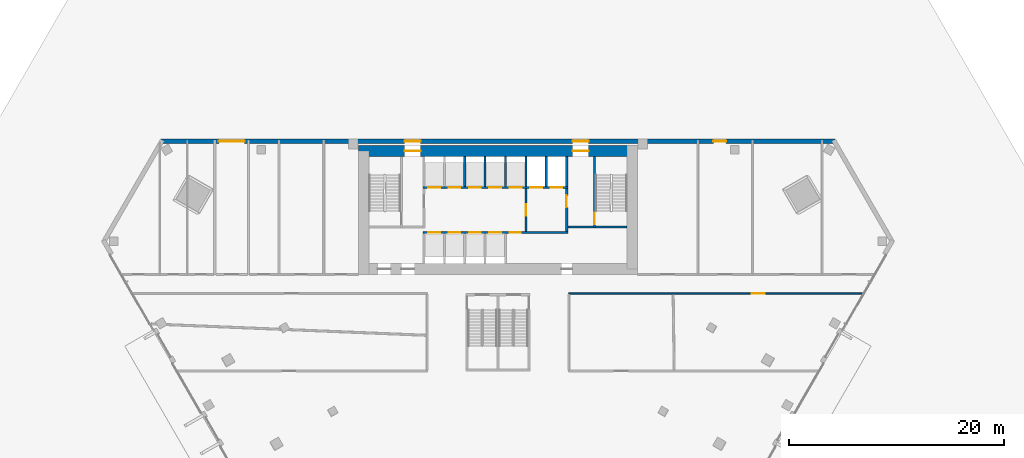
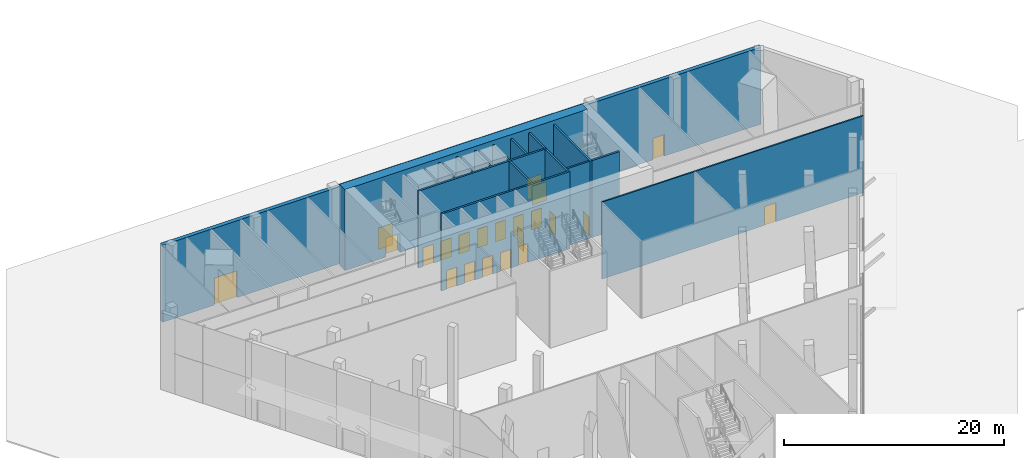
# One storey, part 14 of 21: 22 doors, 16 walls, 22 openings.
"""IFC4 building model written with IfcOpenShell, lengths in metres."""

from ifc_helpers import new_model, si_unit, direction, frame, frame_2d, origin, place, context, subcontext, project, spatial, rectangle, extrude, material, layer, layer_set, type_object, element, fill, save


model = new_model("IFC4")

# Units and contexts
model_context = context("Model", 3, precision=1e-05, world=origin(), true_north=direction((0.0, 1.0)))
body_context = subcontext(model_context, "Body", "Model", "MODEL_VIEW")
ifc_project = project(units=[si_unit("LENGTHUNIT", "METRE"), si_unit("AREAUNIT", "SQUARE_METRE"), si_unit("VOLUMEUNIT", "CUBIC_METRE"), si_unit("PLANEANGLEUNIT", "RADIAN"), si_unit("MASSUNIT", "GRAM", prefix="KILO")], contexts=[model_context])

# Site, building, storey
site_placement = place(None, origin())
site = spatial("IfcSite", under=ifc_project, at=site_placement, CompositionType="ELEMENT")
building_placement = place(site_placement, origin())
building = spatial("IfcBuilding", under=site, at=building_placement, Name="Altiplano Prism Tower", CompositionType="ELEMENT")
storey_placement = place(building_placement, origin())
storey = spatial("IfcBuildingStorey", under=building, at=storey_placement, Name="L00", CompositionType="ELEMENT", Elevation=0.0)

# Wall, openings, doors
ifc_material_1 = material(Name="Concrete C70/85", Category="concrete")
ifc_layer_1 = layer(ifc_material_1, 1.0)
ifc_layer_set_1 = layer_set([ifc_layer_1], Name="Concrete C70/85")
wall_type_1 = type_object("IfcWallType", Name="Core wall 1000", PredefinedType="SHEAR", material=ifc_layer_set_1)
wall_1_placement = place(storey_placement, frame((97.5, 103.89990234375, 0.0), z_axis=(0.0, 0.0, 1.0), x_axis=(-1.0, 0.0, 0.0)))
wall_1 = element("IfcWall", 1, at=wall_1_placement, inside=storey, type_object=wall_type_1, Name="Core wall N L00", PredefinedType="SHEAR", context=body_context, shape_type="SweptSolid", body=[
    extrude(rectangle(XDim=25.5, YDim=1.0, at=frame_2d((12.75, 0.0))), origin(), (0.0, 0.0, 1.0), 9.0),
])
opening_1_placement = place(wall_1_placement, frame((19.699951171875, 0.0, 0.0)))
opening_1 = element("IfcOpeningElement", 2, at=opening_1_placement, cuts=wall_1, Name="Opening D2598", PredefinedType="OPENING", context=body_context, shape_type="SweptSolid", body=[
    extrude(rectangle(XDim=1.5, YDim=2.10009765625, at=frame_2d((0.75, 1.050048828125))), frame((0.0, 0.510498046875, 0.0), z_axis=(0.0, -1.0, 0.0), x_axis=(1.0, 0.0, 0.0)), (0.0, 0.0, 1.0), 1.02099609375),
])
opening_2_placement = place(wall_1_placement, frame((4.050048828125, 0.0, 0.0)))
opening_2 = element("IfcOpeningElement", 3, at=opening_2_placement, cuts=wall_1, Name="Opening D2599", PredefinedType="OPENING", context=body_context, shape_type="SweptSolid", body=[
    extrude(rectangle(XDim=1.5, YDim=2.10009765625, at=frame_2d((0.75, 1.050048828125))), frame((0.0, 0.510498046875, 0.0), z_axis=(0.0, -1.0, 0.0), x_axis=(1.0, 0.0, 0.0)), (0.0, 0.0, 1.0), 1.02099609375),
])
ifc_material_2 = material(Name="Fire-rated steel door", Category="steel")
door_type_1 = type_object("IfcDoorType", Name="Stair exit door 1500 x 2100", OperationType="NOTDEFINED", PredefinedType="NOTDEFINED", material=ifc_material_2)
door_1_placement = place(opening_1_placement, frame((1.5, 0.0, 0.0), z_axis=(0.0, 0.0, 1.0), x_axis=(-1.0, 0.0, 0.0)))
door_1 = element("IfcDoor", 4, at=door_1_placement, inside=storey, type_object=door_type_1, Name="Stair exit door D2598", OperationType="SINGLE_SWING_RIGHT", OverallHeight=2.10009765625, OverallWidth=1.5, PredefinedType="NOTDEFINED", context=body_context, shape_type="SweptSolid", body=[
    extrude(rectangle(XDim=1.5, YDim=2.10009765625, at=frame_2d((0.75, 1.050048828125))), frame((0.0, 0.02490234375, 0.0), z_axis=(0.0, -1.0, 0.0), x_axis=(1.0, 0.0, 0.0)), (0.0, 0.0, 1.0), 0.050048828125),
])
fill(opening_1, door_1)
door_2_placement = place(opening_2_placement, frame((1.5, 0.0, 0.0), z_axis=(0.0, 0.0, 1.0), x_axis=(-1.0, 0.0, 0.0)))
door_2 = element("IfcDoor", 5, at=door_2_placement, inside=storey, type_object=door_type_1, Name="Stair exit door D2599", OperationType="SINGLE_SWING_RIGHT", OverallHeight=2.10009765625, OverallWidth=1.5, PredefinedType="NOTDEFINED", context=body_context, shape_type="SweptSolid", body=[
    extrude(rectangle(XDim=1.5, YDim=2.10009765625, at=frame_2d((0.75, 1.050048828125))), frame((0.0, 0.02490234375, 0.0), z_axis=(0.0, -1.0, 0.0), x_axis=(1.0, 0.0, 0.0)), (0.0, 0.0, 1.0), 0.050048828125),
])
fill(opening_2, door_2)

# Wall, opening, door
ifc_material_3 = material(Name="Plasterboard on steel stud", Category="steel")
ifc_layer_2 = layer(ifc_material_3, 0.14990234375)
ifc_layer_set_2 = layer_set([ifc_layer_2], Name="Plasterboard on steel stud")
wall_type_2 = type_object("IfcWallType", Name="Partition 150 corridor", PredefinedType="PARTITIONING", material=ifc_layer_set_2)
wall_2_placement = place(storey_placement, frame((91.60009765625, 90.60009765625, 0.0), z_axis=(0.0, 0.0, 1.0), x_axis=(1.0, 0.0, 0.0)))
wall_2 = element("IfcWall", 6, at=wall_2_placement, inside=storey, type_object=wall_type_2, Name="Partition P06 L00 010", PredefinedType="PARTITIONING", context=body_context, shape_type="SweptSolid", body=[
    extrude(rectangle(XDim=27.4443359375, YDim=0.14990234375, at=frame_2d((13.72216796875, 0.0))), origin(), (0.0, 0.0, 1.0), 8.550048828125),
])
opening_3_placement = place(wall_2_placement, frame((17.050048828125, 0.0, 0.0)))
opening_3 = element("IfcOpeningElement", 7, at=opening_3_placement, cuts=wall_2, Name="Opening D0010", PredefinedType="OPENING", context=body_context, shape_type="SweptSolid", body=[
    extrude(rectangle(XDim=1.199951171875, YDim=2.10009765625, at=frame_2d((0.60009765625, 1.050048828125))), frame((0.0, 0.08544921875, 0.0), z_axis=(0.0, -1.0, 0.0), x_axis=(1.0, 0.0, 0.0)), (0.0, 0.0, 1.0), 0.1708984375),
])
ifc_material_4 = material(Name="Timber", Category="wood")
door_type_2 = type_object("IfcDoorType", Name="Shared room door 1200 x 2100", OperationType="NOTDEFINED", PredefinedType="NOTDEFINED", material=ifc_material_4)
door_3_placement = place(opening_3_placement, origin())
door_3 = element("IfcDoor", 8, at=door_3_placement, inside=storey, type_object=door_type_2, Name="Door D0010", OperationType="SINGLE_SWING_LEFT", OverallHeight=2.10009765625, OverallWidth=1.199951171875, PredefinedType="NOTDEFINED", context=body_context, shape_type="SweptSolid", body=[
    extrude(rectangle(XDim=1.199951171875, YDim=2.10009765625, at=frame_2d((0.60009765625, 1.050048828125))), frame((0.0, 0.02490234375, 0.0), z_axis=(0.0, -1.0, 0.0), x_axis=(1.0, 0.0, 0.0)), (0.0, 0.0, 1.0), 0.050048828125),
])
fill(opening_3, door_3)

# Wall, openings, doors
ifc_material_5 = material(Name="Concrete C60/75", Category="concrete")
ifc_layer_3 = layer(ifc_material_5, 0.199951171875)
ifc_layer_set_3 = layer_set([ifc_layer_3], Name="Concrete C60/75")
wall_type_3 = type_object("IfcWallType", Name="Shaft wall 200", PredefinedType="SOLIDWALL", material=ifc_layer_set_3)
wall_3_placement = place(storey_placement, frame((78.0, 96.300048828125, 0.0), z_axis=(0.0, 0.0, 1.0), x_axis=(1.0, 0.0, 0.0)))
wall_3 = element("IfcWall", 9, at=wall_3_placement, inside=storey, type_object=wall_type_3, Name="Shaft wall L00", PredefinedType="SOLIDWALL", context=body_context, shape_type="SweptSolid", body=[
    extrude(rectangle(XDim=13.5, YDim=0.199951171875, at=frame_2d((6.75, 0.0))), origin(), (0.0, 0.0, 1.0), 8.550048828125),
])
opening_4_placement = place(wall_3_placement, frame((0.5, 0.0, 0.0)))
opening_4 = element("IfcOpeningElement", 10, at=opening_4_placement, cuts=wall_3, Name="Opening LD-SH1-L00", PredefinedType="OPENING", context=body_context, shape_type="SweptSolid", body=[
    extrude(rectangle(XDim=1.10009765625, YDim=2.10009765625, at=frame_2d((0.550048828125, 1.050048828125))), frame((0.0, 0.1103515625, 0.0), z_axis=(0.0, -1.0, 0.0), x_axis=(1.0, 0.0, 0.0)), (0.0, 0.0, 1.0), 0.220947265625),
])
opening_5_placement = place(wall_3_placement, frame((2.39990234375, 0.0, 0.0)))
opening_5 = element("IfcOpeningElement", 11, at=opening_5_placement, cuts=wall_3, Name="Opening LD-SH2-L00", PredefinedType="OPENING", context=body_context, shape_type="SweptSolid", body=[
    extrude(rectangle(XDim=1.10009765625, YDim=2.10009765625, at=frame_2d((0.550048828125, 1.050048828125))), frame((0.0, 0.1103515625, 0.0), z_axis=(0.0, -1.0, 0.0), x_axis=(1.0, 0.0, 0.0)), (0.0, 0.0, 1.0), 0.220947265625),
])
opening_6_placement = place(wall_3_placement, frame((4.300048828125, 0.0, 0.0)))
opening_6 = element("IfcOpeningElement", 12, at=opening_6_placement, cuts=wall_3, Name="Opening LD-SH3-L00", PredefinedType="OPENING", context=body_context, shape_type="SweptSolid", body=[
    extrude(rectangle(XDim=1.10009765625, YDim=2.10009765625, at=frame_2d((0.550048828125, 1.050048828125))), frame((0.0, 0.1103515625, 0.0), z_axis=(0.0, -1.0, 0.0), x_axis=(1.0, 0.0, 0.0)), (0.0, 0.0, 1.0), 0.220947265625),
])
opening_7_placement = place(wall_3_placement, frame((6.199951171875, 0.0, 0.0)))
opening_7 = element("IfcOpeningElement", 13, at=opening_7_placement, cuts=wall_3, Name="Opening LD-SH4-L00", PredefinedType="OPENING", context=body_context, shape_type="SweptSolid", body=[
    extrude(rectangle(XDim=1.10009765625, YDim=2.10009765625, at=frame_2d((0.550048828125, 1.050048828125))), frame((0.0, 0.1103515625, 0.0), z_axis=(0.0, -1.0, 0.0), x_axis=(1.0, 0.0, 0.0)), (0.0, 0.0, 1.0), 0.220947265625),
])
opening_8_placement = place(wall_3_placement, frame((8.10009765625, 0.0, 0.0)))
opening_8 = element("IfcOpeningElement", 14, at=opening_8_placement, cuts=wall_3, Name="Opening D2596", PredefinedType="OPENING", context=body_context, shape_type="SweptSolid", body=[
    extrude(rectangle(XDim=1.0, YDim=2.10009765625, at=frame_2d((0.5, 1.050048828125))), frame((0.0, 0.1103515625, 0.0), z_axis=(0.0, -1.0, 0.0), x_axis=(1.0, 0.0, 0.0)), (0.0, 0.0, 1.0), 0.220947265625),
])
door_type_3 = type_object("IfcDoorType", Name="Core room door 1000 x 2100", OperationType="NOTDEFINED", PredefinedType="NOTDEFINED", material=ifc_material_2)
door_4_placement = place(opening_8_placement, origin())
door_4 = element("IfcDoor", 15, at=door_4_placement, inside=storey, type_object=door_type_3, Name="Core room door D2596", OperationType="SINGLE_SWING_LEFT", OverallHeight=2.10009765625, OverallWidth=1.0, PredefinedType="NOTDEFINED", context=body_context, shape_type="SweptSolid", body=[
    extrude(rectangle(XDim=1.0, YDim=2.10009765625, at=frame_2d((0.5, 1.050048828125))), frame((0.0, 0.02490234375, 0.0), z_axis=(0.0, -1.0, 0.0), x_axis=(1.0, 0.0, 0.0)), (0.0, 0.0, 1.0), 0.050048828125),
])
fill(opening_8, door_4)
ifc_material_6 = material(Name="Stainless steel landing door", Category="steel")
door_type_4 = type_object("IfcDoorType", Name="Landing door 1100 x 2100", OperationType="NOTDEFINED", PredefinedType="NOTDEFINED", material=ifc_material_6)
door_5_placement = place(opening_4_placement, origin())
door_5 = element("IfcDoor", 16, at=door_5_placement, inside=storey, type_object=door_type_4, Name="Landing doors SH1", OperationType="SLIDING_TO_RIGHT", OverallHeight=2.10009765625, OverallWidth=1.10009765625, PredefinedType="NOTDEFINED", context=body_context, shape_type="SweptSolid", body=[
    extrude(rectangle(XDim=1.10009765625, YDim=2.10009765625, at=frame_2d((0.550048828125, 1.050048828125))), frame((0.0, 0.02490234375, 0.0), z_axis=(0.0, -1.0, 0.0), x_axis=(1.0, 0.0, 0.0)), (0.0, 0.0, 1.0), 0.050048828125),
])
fill(opening_4, door_5)
door_6_placement = place(opening_5_placement, origin())
door_6 = element("IfcDoor", 17, at=door_6_placement, inside=storey, type_object=door_type_4, Name="Landing doors SH2", OperationType="SLIDING_TO_LEFT", OverallHeight=2.10009765625, OverallWidth=1.10009765625, PredefinedType="NOTDEFINED", context=body_context, shape_type="SweptSolid", body=[
    extrude(rectangle(XDim=1.10009765625, YDim=2.10009765625, at=frame_2d((0.550048828125, 1.050048828125))), frame((0.0, 0.02490234375, 0.0), z_axis=(0.0, -1.0, 0.0), x_axis=(1.0, 0.0, 0.0)), (0.0, 0.0, 1.0), 0.050048828125),
])
fill(opening_5, door_6)
door_7_placement = place(opening_6_placement, origin())
door_7 = element("IfcDoor", 18, at=door_7_placement, inside=storey, type_object=door_type_4, Name="Landing doors SH3", OperationType="SLIDING_TO_RIGHT", OverallHeight=2.10009765625, OverallWidth=1.10009765625, PredefinedType="NOTDEFINED", context=body_context, shape_type="SweptSolid", body=[
    extrude(rectangle(XDim=1.10009765625, YDim=2.10009765625, at=frame_2d((0.550048828125, 1.050048828125))), frame((0.0, 0.02490234375, 0.0), z_axis=(0.0, -1.0, 0.0), x_axis=(1.0, 0.0, 0.0)), (0.0, 0.0, 1.0), 0.050048828125),
])
fill(opening_6, door_7)
door_8_placement = place(opening_7_placement, origin())
door_8 = element("IfcDoor", 19, at=door_8_placement, inside=storey, type_object=door_type_4, Name="Landing doors SH4", OperationType="SLIDING_TO_LEFT", OverallHeight=2.10009765625, OverallWidth=1.10009765625, PredefinedType="NOTDEFINED", context=body_context, shape_type="SweptSolid", body=[
    extrude(rectangle(XDim=1.10009765625, YDim=2.10009765625, at=frame_2d((0.550048828125, 1.050048828125))), frame((0.0, 0.02490234375, 0.0), z_axis=(0.0, -1.0, 0.0), x_axis=(1.0, 0.0, 0.0)), (0.0, 0.0, 1.0), 0.050048828125),
])
fill(opening_7, door_8)

wall_4_placement = place(storey_placement, frame((78.0, 100.5, 0.0), z_axis=(0.0, 0.0, 1.0), x_axis=(1.0, 0.0, 0.0)))
wall_4 = element("IfcWall", 20, at=wall_4_placement, inside=storey, type_object=wall_type_3, Name="Shaft wall L00", PredefinedType="SOLIDWALL", context=body_context, shape_type="SweptSolid", body=[
    extrude(rectangle(XDim=13.5, YDim=0.199951171875, at=frame_2d((6.75, 0.0))), origin(), (0.0, 0.0, 1.0), 8.550048828125),
])
opening_9_placement = place(wall_4_placement, frame((0.5, 0.0, 0.0)))
opening_9 = element("IfcOpeningElement", 21, at=opening_9_placement, cuts=wall_4, Name="Opening LD-LL1-L00", PredefinedType="OPENING", context=body_context, shape_type="SweptSolid", body=[
    extrude(rectangle(XDim=1.10009765625, YDim=2.10009765625, at=frame_2d((0.550048828125, 1.050048828125))), frame((0.0, 0.1103515625, 0.0), z_axis=(0.0, -1.0, 0.0), x_axis=(1.0, 0.0, 0.0)), (0.0, 0.0, 1.0), 0.220947265625),
])
opening_10_placement = place(wall_4_placement, frame((2.39990234375, 0.0, 0.0)))
opening_10 = element("IfcOpeningElement", 22, at=opening_10_placement, cuts=wall_4, Name="Opening LD-LL2-L00", PredefinedType="OPENING", context=body_context, shape_type="SweptSolid", body=[
    extrude(rectangle(XDim=1.10009765625, YDim=2.10009765625, at=frame_2d((0.550048828125, 1.050048828125))), frame((0.0, 0.1103515625, 0.0), z_axis=(0.0, -1.0, 0.0), x_axis=(1.0, 0.0, 0.0)), (0.0, 0.0, 1.0), 0.220947265625),
])
opening_11_placement = place(wall_4_placement, frame((4.300048828125, 0.0, 0.0)))
opening_11 = element("IfcOpeningElement", 23, at=opening_11_placement, cuts=wall_4, Name="Opening LD-LL3-L00", PredefinedType="OPENING", context=body_context, shape_type="SweptSolid", body=[
    extrude(rectangle(XDim=1.10009765625, YDim=2.10009765625, at=frame_2d((0.550048828125, 1.050048828125))), frame((0.0, 0.1103515625, 0.0), z_axis=(0.0, -1.0, 0.0), x_axis=(1.0, 0.0, 0.0)), (0.0, 0.0, 1.0), 0.220947265625),
])
opening_12_placement = place(wall_4_placement, frame((6.199951171875, 0.0, 0.0)))
opening_12 = element("IfcOpeningElement", 24, at=opening_12_placement, cuts=wall_4, Name="Opening LD-LL4-L00", PredefinedType="OPENING", context=body_context, shape_type="SweptSolid", body=[
    extrude(rectangle(XDim=1.10009765625, YDim=2.10009765625, at=frame_2d((0.550048828125, 1.050048828125))), frame((0.0, 0.1103515625, 0.0), z_axis=(0.0, -1.0, 0.0), x_axis=(1.0, 0.0, 0.0)), (0.0, 0.0, 1.0), 0.220947265625),
])
opening_13_placement = place(wall_4_placement, frame((8.10009765625, 0.0, 0.0)))
opening_13 = element("IfcOpeningElement", 25, at=opening_13_placement, cuts=wall_4, Name="Opening LD-LL5-L00", PredefinedType="OPENING", context=body_context, shape_type="SweptSolid", body=[
    extrude(rectangle(XDim=1.10009765625, YDim=2.10009765625, at=frame_2d((0.550048828125, 1.050048828125))), frame((0.0, 0.1103515625, 0.0), z_axis=(0.0, -1.0, 0.0), x_axis=(1.0, 0.0, 0.0)), (0.0, 0.0, 1.0), 0.220947265625),
])
opening_14_placement = place(wall_4_placement, frame((10.0, 0.0, 0.0)))
opening_14 = element("IfcOpeningElement", 26, at=opening_14_placement, cuts=wall_4, Name="Opening LD-FF1-L00", PredefinedType="OPENING", context=body_context, shape_type="SweptSolid", body=[
    extrude(rectangle(XDim=1.10009765625, YDim=2.10009765625, at=frame_2d((0.550048828125, 1.050048828125))), frame((0.0, 0.1103515625, 0.0), z_axis=(0.0, -1.0, 0.0), x_axis=(1.0, 0.0, 0.0)), (0.0, 0.0, 1.0), 0.220947265625),
])
opening_15_placement = place(wall_4_placement, frame((11.89990234375, 0.0, 0.0)))
opening_15 = element("IfcOpeningElement", 27, at=opening_15_placement, cuts=wall_4, Name="Opening LD-FF2-L00", PredefinedType="OPENING", context=body_context, shape_type="SweptSolid", body=[
    extrude(rectangle(XDim=1.10009765625, YDim=2.10009765625, at=frame_2d((0.550048828125, 1.050048828125))), frame((0.0, 0.1103515625, 0.0), z_axis=(0.0, -1.0, 0.0), x_axis=(1.0, 0.0, 0.0)), (0.0, 0.0, 1.0), 0.220947265625),
])
door_9_placement = place(opening_9_placement, origin())
door_9 = element("IfcDoor", 28, at=door_9_placement, inside=storey, type_object=door_type_4, Name="Landing doors LL1", OperationType="SLIDING_TO_RIGHT", OverallHeight=2.10009765625, OverallWidth=1.10009765625, PredefinedType="NOTDEFINED", context=body_context, shape_type="SweptSolid", body=[
    extrude(rectangle(XDim=1.10009765625, YDim=2.10009765625, at=frame_2d((0.550048828125, 1.050048828125))), frame((0.0, 0.02490234375, 0.0), z_axis=(0.0, -1.0, 0.0), x_axis=(1.0, 0.0, 0.0)), (0.0, 0.0, 1.0), 0.050048828125),
])
fill(opening_9, door_9)
door_10_placement = place(opening_10_placement, origin())
door_10 = element("IfcDoor", 29, at=door_10_placement, inside=storey, type_object=door_type_4, Name="Landing doors LL2", OperationType="SLIDING_TO_LEFT", OverallHeight=2.10009765625, OverallWidth=1.10009765625, PredefinedType="NOTDEFINED", context=body_context, shape_type="SweptSolid", body=[
    extrude(rectangle(XDim=1.10009765625, YDim=2.10009765625, at=frame_2d((0.550048828125, 1.050048828125))), frame((0.0, 0.02490234375, 0.0), z_axis=(0.0, -1.0, 0.0), x_axis=(1.0, 0.0, 0.0)), (0.0, 0.0, 1.0), 0.050048828125),
])
fill(opening_10, door_10)
door_11_placement = place(opening_11_placement, origin())
door_11 = element("IfcDoor", 30, at=door_11_placement, inside=storey, type_object=door_type_4, Name="Landing doors LL3", OperationType="SLIDING_TO_RIGHT", OverallHeight=2.10009765625, OverallWidth=1.10009765625, PredefinedType="NOTDEFINED", context=body_context, shape_type="SweptSolid", body=[
    extrude(rectangle(XDim=1.10009765625, YDim=2.10009765625, at=frame_2d((0.550048828125, 1.050048828125))), frame((0.0, 0.02490234375, 0.0), z_axis=(0.0, -1.0, 0.0), x_axis=(1.0, 0.0, 0.0)), (0.0, 0.0, 1.0), 0.050048828125),
])
fill(opening_11, door_11)
door_12_placement = place(opening_12_placement, origin())
door_12 = element("IfcDoor", 31, at=door_12_placement, inside=storey, type_object=door_type_4, Name="Landing doors LL4", OperationType="SLIDING_TO_LEFT", OverallHeight=2.10009765625, OverallWidth=1.10009765625, PredefinedType="NOTDEFINED", context=body_context, shape_type="SweptSolid", body=[
    extrude(rectangle(XDim=1.10009765625, YDim=2.10009765625, at=frame_2d((0.550048828125, 1.050048828125))), frame((0.0, 0.02490234375, 0.0), z_axis=(0.0, -1.0, 0.0), x_axis=(1.0, 0.0, 0.0)), (0.0, 0.0, 1.0), 0.050048828125),
])
fill(opening_12, door_12)
door_13_placement = place(opening_13_placement, origin())
door_13 = element("IfcDoor", 32, at=door_13_placement, inside=storey, type_object=door_type_4, Name="Landing doors LL5", OperationType="SLIDING_TO_RIGHT", OverallHeight=2.10009765625, OverallWidth=1.10009765625, PredefinedType="NOTDEFINED", context=body_context, shape_type="SweptSolid", body=[
    extrude(rectangle(XDim=1.10009765625, YDim=2.10009765625, at=frame_2d((0.550048828125, 1.050048828125))), frame((0.0, 0.02490234375, 0.0), z_axis=(0.0, -1.0, 0.0), x_axis=(1.0, 0.0, 0.0)), (0.0, 0.0, 1.0), 0.050048828125),
])
fill(opening_13, door_13)
door_14_placement = place(opening_14_placement, origin())
door_14 = element("IfcDoor", 33, at=door_14_placement, inside=storey, type_object=door_type_4, Name="Landing doors FF1", OperationType="SLIDING_TO_RIGHT", OverallHeight=2.10009765625, OverallWidth=1.10009765625, PredefinedType="NOTDEFINED", context=body_context, shape_type="SweptSolid", body=[
    extrude(rectangle(XDim=1.10009765625, YDim=2.10009765625, at=frame_2d((0.550048828125, 1.050048828125))), frame((0.0, 0.02490234375, 0.0), z_axis=(0.0, -1.0, 0.0), x_axis=(1.0, 0.0, 0.0)), (0.0, 0.0, 1.0), 0.050048828125),
])
fill(opening_14, door_14)
door_15_placement = place(opening_15_placement, origin())
door_15 = element("IfcDoor", 34, at=door_15_placement, inside=storey, type_object=door_type_4, Name="Landing doors FF2", OperationType="SLIDING_TO_LEFT", OverallHeight=2.10009765625, OverallWidth=1.10009765625, PredefinedType="NOTDEFINED", context=body_context, shape_type="SweptSolid", body=[
    extrude(rectangle(XDim=1.10009765625, YDim=2.10009765625, at=frame_2d((0.550048828125, 1.050048828125))), frame((0.0, 0.02490234375, 0.0), z_axis=(0.0, -1.0, 0.0), x_axis=(1.0, 0.0, 0.0)), (0.0, 0.0, 1.0), 0.050048828125),
])
fill(opening_15, door_15)

# Walls
for number, where, z_axis, x_axis, name in (
    (35, (81.89990234375, 100.60009765625, 0.0), (0.0, 0.0, 1.0), (0.0, 1.0, 0.0), "Shaft wall L00"),
    (36, (83.800048828125, 100.60009765625, 0.0), (0.0, 0.0, 1.0), (0.0, 1.0, 0.0), "Shaft wall L00"),
    (37, (85.699951171875, 100.60009765625, 0.0), (0.0, 0.0, 1.0), (0.0, 1.0, 0.0), "Shaft wall L00"),
    (38, (87.60009765625, 100.60009765625, 0.0), (0.0, 0.0, 1.0), (0.0, 1.0, 0.0), "Shaft wall L00"),
    (39, (89.5, 100.60009765625, 0.0), (0.0, 0.0, 1.0), (0.0, 1.0, 0.0), "Shaft wall L00"),
    (40, (91.39990234375, 100.60009765625, 0.0), (0.0, 0.0, 1.0), (0.0, 1.0, 0.0), "Shaft wall L00"),
):
    element("IfcWall", number, at=place(storey_placement, frame(where, z_axis=z_axis, x_axis=x_axis)), inside=storey, type_object=wall_type_3, Name=name, PredefinedType="SOLIDWALL", context=body_context, shape_type="SweptSolid", body=[
        extrude(rectangle(XDim=2.7998046875, YDim=0.199951171875, at=frame_2d((1.39990234375, 0.0))), origin(), (0.0, 0.0, 1.0), 8.550048828125),
    ])

# Wall, opening, door
ifc_layer_4 = layer(ifc_material_5, 0.199951171875)
ifc_layer_set_4 = layer_set([ifc_layer_4], Name="Concrete C60/75")
wall_type_4 = type_object("IfcWallType", Name="Stair wall 200", PredefinedType="SOLIDWALL", material=ifc_layer_set_4)
wall_5_placement = place(storey_placement, frame((94.0, 96.699951171875, 0.0), z_axis=(0.0, 0.0, 1.0), x_axis=(0.0, 1.0, 0.0)))
wall_5 = element("IfcWall", 41, at=wall_5_placement, inside=storey, type_object=wall_type_4, Name="Stair wall L00", PredefinedType="SOLIDWALL", context=body_context, shape_type="SweptSolid", body=[
    extrude(rectangle(XDim=6.699951171875, YDim=0.199951171875, at=frame_2d((3.35009765625, 0.0))), origin(), (0.0, 0.0, 1.0), 8.550048828125),
])
opening_16_placement = place(wall_5_placement, frame((0.35009765625, 0.0, 0.0)))
opening_16 = element("IfcOpeningElement", 42, at=opening_16_placement, cuts=wall_5, Name="Opening D2590", PredefinedType="OPENING", context=body_context, shape_type="SweptSolid", body=[
    extrude(rectangle(XDim=1.10009765625, YDim=2.10009765625, at=frame_2d((0.550048828125, 1.050048828125))), frame((0.0, 0.1103515625, 0.0), z_axis=(0.0, -1.0, 0.0), x_axis=(1.0, 0.0, 0.0)), (0.0, 0.0, 1.0), 0.220947265625),
])
door_type_5 = type_object("IfcDoorType", Name="Stair fire door 1100 x 2100", OperationType="NOTDEFINED", PredefinedType="NOTDEFINED", material=ifc_material_2)
door_16_placement = place(opening_16_placement, origin())
door_16 = element("IfcDoor", 43, at=door_16_placement, inside=storey, type_object=door_type_5, Name="Stair fire door D2590", OperationType="SINGLE_SWING_LEFT", OverallHeight=2.10009765625, OverallWidth=1.10009765625, PredefinedType="NOTDEFINED", context=body_context, shape_type="SweptSolid", body=[
    extrude(rectangle(XDim=1.10009765625, YDim=2.10009765625, at=frame_2d((0.550048828125, 1.050048828125))), frame((0.0, 0.02490234375, 0.0), z_axis=(0.0, -1.0, 0.0), x_axis=(1.0, 0.0, 0.0)), (0.0, 0.0, 1.0), 0.050048828125),
])
fill(opening_16, door_16)

# Wall
wall_6_placement = place(storey_placement, frame((94.10009765625, 96.800048828125, 0.0), z_axis=(0.0, 0.0, 1.0), x_axis=(1.0, 0.0, 0.0)))
element("IfcWall", 44, at=wall_6_placement, inside=storey, type_object=wall_type_4, Name="Stair wall L00", PredefinedType="SOLIDWALL", context=body_context, shape_type="SweptSolid", body=[
    extrude(rectangle(XDim=2.89990234375, YDim=0.199951171875, at=frame_2d((1.449951171875, 0.0))), origin(), (0.0, 0.0, 1.0), 8.550048828125),
])

# Wall, openings, doors
ifc_material_7 = material(Name="Concrete C40", Category="concrete")
ifc_layer_5 = layer(ifc_material_7, 0.39990234375)
ifc_layer_set_5 = layer_set([ifc_layer_5], Name="Concrete C40")
wall_type_5 = type_object("IfcWallType", Name="Stone-clad podium wall 400", PredefinedType="SOLIDWALL", material=ifc_layer_set_5)
wall_7_placement = place(storey_placement, frame((53.564697265625, 104.800048828125, 0.0), z_axis=(0.0, 0.0, 1.0), x_axis=(1.0, 0.0, 0.0)))
wall_7 = element("IfcWall", 45, at=wall_7_placement, inside=storey, type_object=wall_type_5, Name="External wall north face L00", PredefinedType="SOLIDWALL", context=body_context, shape_type="SweptSolid", body=[
    extrude(rectangle(XDim=62.87060546875, YDim=0.39990234375, at=frame_2d((31.435302734375, 0.0))), origin(), (0.0, 0.0, 1.0), 8.550048828125),
])
opening_17_placement = place(wall_7_placement, frame((51.494873046875, 0.0, 0.0)))
opening_17 = element("IfcOpeningElement", 46, at=opening_17_placement, cuts=wall_7, Name="Opening D2552", PredefinedType="OPENING", context=body_context, shape_type="SweptSolid", body=[
    extrude(rectangle(XDim=1.199951171875, YDim=2.39990234375, at=frame_2d((0.60009765625, 1.199951171875))), frame((0.0, 0.21044921875, 0.0), z_axis=(0.0, -1.0, 0.0), x_axis=(1.0, 0.0, 0.0)), (0.0, 0.0, 1.0), 0.4208984375),
])
opening_18_placement = place(wall_7_placement, frame((38.38525390625, 0.0, 0.0)))
opening_18 = element("IfcOpeningElement", 47, at=opening_18_placement, cuts=wall_7, Name="Opening D2553", PredefinedType="OPENING", context=body_context, shape_type="SweptSolid", body=[
    extrude(rectangle(XDim=1.5, YDim=2.39990234375, at=frame_2d((0.75, 1.199951171875))), frame((0.0, 0.21044921875, 0.0), z_axis=(0.0, -1.0, 0.0), x_axis=(1.0, 0.0, 0.0)), (0.0, 0.0, 1.0), 0.4208984375),
])
opening_19_placement = place(wall_7_placement, frame((22.7353515625, 0.0, 0.0)))
opening_19 = element("IfcOpeningElement", 48, at=opening_19_placement, cuts=wall_7, Name="Opening D2554", PredefinedType="OPENING", context=body_context, shape_type="SweptSolid", body=[
    extrude(rectangle(XDim=1.5, YDim=2.39990234375, at=frame_2d((0.75, 1.199951171875))), frame((0.0, 0.21044921875, 0.0), z_axis=(0.0, -1.0, 0.0), x_axis=(1.0, 0.0, 0.0)), (0.0, 0.0, 1.0), 0.4208984375),
])
opening_20_placement = place(wall_7_placement, frame((5.4228515625, 0.0, 0.0)))
opening_20 = element("IfcOpeningElement", 49, at=opening_20_placement, cuts=wall_7, Name="Opening D2555", PredefinedType="OPENING", context=body_context, shape_type="SweptSolid", body=[
    extrude(rectangle(XDim=2.39990234375, YDim=3.0, at=frame_2d((1.199951171875, 1.5))), frame((0.0, 0.21044921875, 0.0), z_axis=(0.0, -1.0, 0.0), x_axis=(1.0, 0.0, 0.0)), (0.0, 0.0, 1.0), 0.4208984375),
])
ifc_material_8 = material(Name="Aluminium", Category="aluminium")
door_type_6 = type_object("IfcDoorType", Name="Loading roller shutter 2400 x 3000", OperationType="NOTDEFINED", PredefinedType="NOTDEFINED", material=ifc_material_8)
door_17_placement = place(opening_20_placement, origin())
door_17 = element("IfcDoor", 50, at=door_17_placement, inside=storey, type_object=door_type_6, Name="Loading roller shutter north face", OperationType="NOTDEFINED", OverallHeight=3.0, OverallWidth=2.39990234375, PredefinedType="NOTDEFINED", context=body_context, shape_type="SweptSolid", body=[
    extrude(rectangle(XDim=2.39990234375, YDim=3.0, at=frame_2d((1.199951171875, 1.5))), frame((0.0, 0.02490234375, 0.0), z_axis=(0.0, -1.0, 0.0), x_axis=(1.0, 0.0, 0.0)), (0.0, 0.0, 1.0), 0.050048828125),
])
fill(opening_20, door_17)
ifc_material_9 = material(Name="Steel S355", Category="steel")
door_type_7 = type_object("IfcDoorType", Name="Service door 1200 x 2400", OperationType="NOTDEFINED", PredefinedType="NOTDEFINED", material=ifc_material_9)
door_18_placement = place(opening_17_placement, origin())
door_18 = element("IfcDoor", 51, at=door_18_placement, inside=storey, type_object=door_type_7, Name="Service door north face", OperationType="NOTDEFINED", OverallHeight=2.39990234375, OverallWidth=1.199951171875, PredefinedType="NOTDEFINED", context=body_context, shape_type="SweptSolid", body=[
    extrude(rectangle(XDim=1.199951171875, YDim=2.39990234375, at=frame_2d((0.60009765625, 1.199951171875))), frame((0.0, 0.02490234375, 0.0), z_axis=(0.0, -1.0, 0.0), x_axis=(1.0, 0.0, 0.0)), (0.0, 0.0, 1.0), 0.050048828125),
])
fill(opening_17, door_18)
door_type_8 = type_object("IfcDoorType", Name="Stair exit door 1500 x 2400", OperationType="NOTDEFINED", PredefinedType="NOTDEFINED", material=ifc_material_9)
door_19_placement = place(opening_18_placement, origin())
door_19 = element("IfcDoor", 52, at=door_19_placement, inside=storey, type_object=door_type_8, Name="Stair exit door ST2", OperationType="DOUBLE_DOOR_SINGLE_SWING", OverallHeight=2.39990234375, OverallWidth=1.5, PredefinedType="NOTDEFINED", context=body_context, shape_type="SweptSolid", body=[
    extrude(rectangle(XDim=1.5, YDim=2.39990234375, at=frame_2d((0.75, 1.199951171875))), frame((0.0, 0.02490234375, 0.0), z_axis=(0.0, -1.0, 0.0), x_axis=(1.0, 0.0, 0.0)), (0.0, 0.0, 1.0), 0.050048828125),
])
fill(opening_18, door_19)
door_20_placement = place(opening_19_placement, origin())
door_20 = element("IfcDoor", 53, at=door_20_placement, inside=storey, type_object=door_type_8, Name="Stair exit door ST1", OperationType="DOUBLE_DOOR_SINGLE_SWING", OverallHeight=2.39990234375, OverallWidth=1.5, PredefinedType="NOTDEFINED", context=body_context, shape_type="SweptSolid", body=[
    extrude(rectangle(XDim=1.5, YDim=2.39990234375, at=frame_2d((0.75, 1.199951171875))), frame((0.0, 0.02490234375, 0.0), z_axis=(0.0, -1.0, 0.0), x_axis=(1.0, 0.0, 0.0)), (0.0, 0.0, 1.0), 0.050048828125),
])
fill(opening_19, door_20)

# Wall, opening, door
ifc_layer_6 = layer(ifc_material_5, 0.199951171875)
ifc_layer_set_6 = layer_set([ifc_layer_6], Name="Concrete C60/75")
wall_type_6 = type_object("IfcWallType", Name="Vestibule wall 200", PredefinedType="PARTITIONING", material=ifc_layer_set_6)
wall_8_placement = place(storey_placement, frame((87.60009765625, 96.39990234375, 0.0), z_axis=(0.0, 0.0, 1.0), x_axis=(0.0, 1.0, 0.0)))
wall_8 = element("IfcWall", 54, at=wall_8_placement, inside=storey, type_object=wall_type_6, Name="Vestibule wall L00", PredefinedType="PARTITIONING", context=body_context, shape_type="SweptSolid", body=[
    extrude(rectangle(XDim=4.0, YDim=0.199951171875, at=frame_2d((2.0, 0.0))), origin(), (0.0, 0.0, 1.0), 8.550048828125),
])
opening_21_placement = place(wall_8_placement, frame((1.449951171875, 0.0, 0.0)))
opening_21 = element("IfcOpeningElement", 55, at=opening_21_placement, cuts=wall_8, Name="Opening D2592", PredefinedType="OPENING", context=body_context, shape_type="SweptSolid", body=[
    extrude(rectangle(XDim=1.10009765625, YDim=2.10009765625, at=frame_2d((0.550048828125, 1.050048828125))), frame((0.0, 0.1103515625, 0.0), z_axis=(0.0, -1.0, 0.0), x_axis=(1.0, 0.0, 0.0)), (0.0, 0.0, 1.0), 0.220947265625),
])
door_type_9 = type_object("IfcDoorType", Name="Vestibule fire door 1100 x 2100", OperationType="NOTDEFINED", PredefinedType="NOTDEFINED", material=ifc_material_2)
door_21_placement = place(opening_21_placement, origin())
door_21 = element("IfcDoor", 56, at=door_21_placement, inside=storey, type_object=door_type_9, Name="Vestibule fire door D2592", OperationType="SINGLE_SWING_RIGHT", OverallHeight=2.10009765625, OverallWidth=1.10009765625, PredefinedType="NOTDEFINED", context=body_context, shape_type="SweptSolid", body=[
    extrude(rectangle(XDim=1.10009765625, YDim=2.10009765625, at=frame_2d((0.550048828125, 1.050048828125))), frame((0.0, 0.02490234375, 0.0), z_axis=(0.0, -1.0, 0.0), x_axis=(1.0, 0.0, 0.0)), (0.0, 0.0, 1.0), 0.050048828125),
])
fill(opening_21, door_21)

wall_9_placement = place(storey_placement, frame((91.39990234375, 96.39990234375, 0.0), z_axis=(0.0, 0.0, 1.0), x_axis=(0.0, 1.0, 0.0)))
wall_9 = element("IfcWall", 57, at=wall_9_placement, inside=storey, type_object=wall_type_6, Name="Vestibule wall L00", PredefinedType="PARTITIONING", context=body_context, shape_type="SweptSolid", body=[
    extrude(rectangle(XDim=4.0, YDim=0.199951171875, at=frame_2d((2.0, 0.0))), origin(), (0.0, 0.0, 1.0), 8.550048828125),
])
opening_22_placement = place(wall_9_placement, frame((2.25, 0.0, 0.0)))
opening_22 = element("IfcOpeningElement", 58, at=opening_22_placement, cuts=wall_9, Name="Opening D2593", PredefinedType="OPENING", context=body_context, shape_type="SweptSolid", body=[
    extrude(rectangle(XDim=1.10009765625, YDim=2.10009765625, at=frame_2d((0.550048828125, 1.050048828125))), frame((0.0, 0.1103515625, 0.0), z_axis=(0.0, -1.0, 0.0), x_axis=(1.0, 0.0, 0.0)), (0.0, 0.0, 1.0), 0.220947265625),
])
door_22_placement = place(opening_22_placement, origin())
door_22 = element("IfcDoor", 59, at=door_22_placement, inside=storey, type_object=door_type_9, Name="Vestibule fire door D2593", OperationType="SINGLE_SWING_LEFT", OverallHeight=2.10009765625, OverallWidth=1.10009765625, PredefinedType="NOTDEFINED", context=body_context, shape_type="SweptSolid", body=[
    extrude(rectangle(XDim=1.10009765625, YDim=2.10009765625, at=frame_2d((0.550048828125, 1.050048828125))), frame((0.0, 0.02490234375, 0.0), z_axis=(0.0, -1.0, 0.0), x_axis=(1.0, 0.0, 0.0)), (0.0, 0.0, 1.0), 0.050048828125),
])
fill(opening_22, door_22)

# Wall
wall_10_placement = place(storey_placement, frame((91.5, 96.800048828125, 0.0), z_axis=(0.0, 0.0, 1.0), x_axis=(1.0, 0.0, 0.0)))
element("IfcWall", 60, at=wall_10_placement, inside=storey, type_object=wall_type_6, Name="Vestibule wall L00", PredefinedType="PARTITIONING", context=body_context, shape_type="SweptSolid", body=[
    extrude(rectangle(XDim=2.39990234375, YDim=0.199951171875, at=frame_2d((1.199951171875, 0.0))), origin(), (0.0, 0.0, 1.0), 8.550048828125),
])

save(model, "model.ifc")
